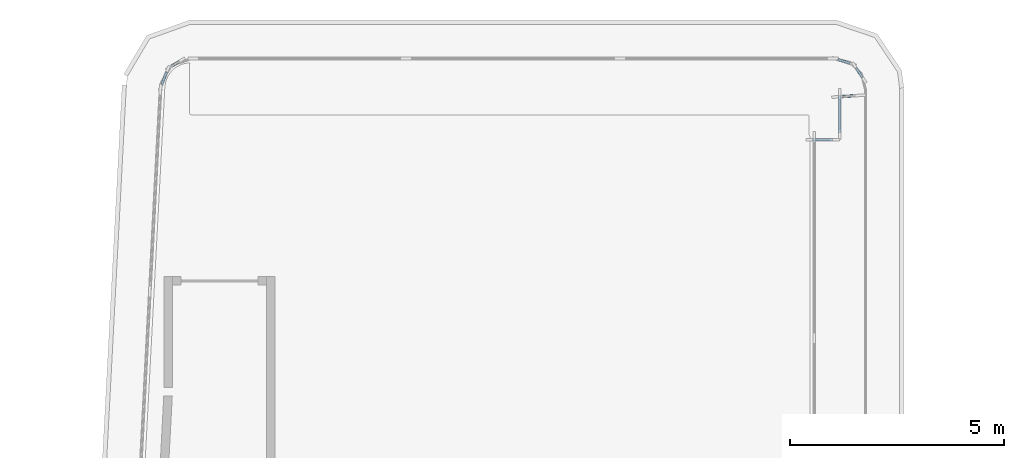
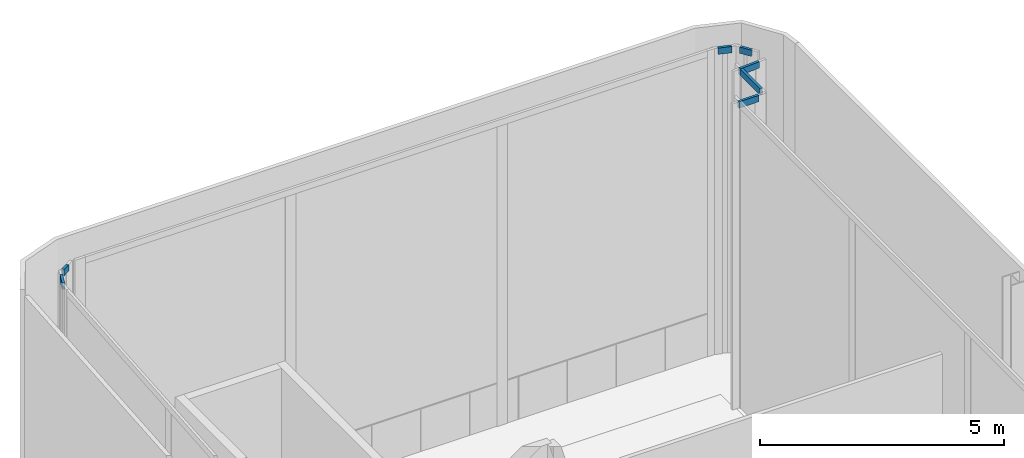
# One storey, part 14 of 28: 7 members, 7 elements without a shape of their own.
"""IFC4 building model written with IfcOpenShell, lengths in metres."""

from ifc_helpers import new_model, si_unit, direction, frame, origin, origin_2d, place, context, subcontext, project, spatial, rectangle, extrude, material, layer, layer_set, material_profile, profile_set, type_object, element, aggregate, save


model = new_model("IFC4")

# Units and contexts
model_context = context("Model", 3, precision=1e-05, world=origin(), true_north=direction((0.0, 1.0)))
body_context = subcontext(model_context, "Body", "Model", "MODEL_VIEW")
ifc_project = project(units=[si_unit("LENGTHUNIT", "METRE"), si_unit("AREAUNIT", "SQUARE_METRE"), si_unit("VOLUMEUNIT", "CUBIC_METRE"), si_unit("PLANEANGLEUNIT", "RADIAN"), si_unit("MASSUNIT", "GRAM", prefix="KILO")], contexts=[model_context])

# Site, building, storey
site_placement = place(None, origin())
site = spatial("IfcSite", under=ifc_project, at=site_placement, CompositionType="ELEMENT")
building_placement = place(site_placement, origin())
building = spatial("IfcBuilding", under=site, at=building_placement, Name="Kheshtan School and Residences Tower", CompositionType="ELEMENT")
storey_placement = place(building_placement, frame((0.0, 0.0, 325.39990234375)))
storey = spatial("IfcBuildingStorey", under=building, at=storey_placement, Name="L77", CompositionType="ELEMENT", Elevation=325.39990234375)

# Curtain wall, member
ifc_material_1 = material(Name="Clear low-e glass in thermally broken aluminium frame", Category="aluminium")
ifc_layer = layer(ifc_material_1, 0.25)
ifc_layer_set = layer_set([ifc_layer], Name="Curtain wall CW-K")
curtain_wall_type = type_object("IfcCurtainWallType", Name="Curtain wall CW-K", PredefinedType="NOTDEFINED", material=ifc_layer_set)
curtain_wall_1_placement = place(storey_placement, origin())
curtain_wall_1 = element("IfcCurtainWall", 1, at=curtain_wall_1_placement, inside=storey, type_object=curtain_wall_type, Name="Curtain wall CWK7b", PredefinedType="NOTDEFINED")
ifc_material_2 = material(Name="Thermally broken aluminium, dark bronze anodised", Category="aluminium")
ifc_material_profile = material_profile(ifc_material_2, rectangle(XDim=0.06005859375, YDim=0.159912109375, at=origin_2d()), Name="CW-K transom 60x160")
ifc_profile_set = profile_set([ifc_material_profile], Name="Thermally broken aluminium, dark bronze anodised")
member_type = type_object("IfcMemberType", Name="CW-K transom 60x160", PredefinedType="USERDEFINED", material=ifc_profile_set)
member_1_placement = place(storey_placement, frame((30.75146484375, 98.59375, 7.570068359375), z_axis=(0.370720586552, 0.928744446393, 0.0), x_axis=(-0.928744446393, 0.370720586552, 0.0)))
member_1 = element("IfcMember", 2, at=member_1_placement, type_object=member_type, Name="CWK7b transom 1", ObjectType="TRANSOM", PredefinedType="USERDEFINED", context=body_context, shape_type="SweptSolid", body=[
    extrude(rectangle(XDim=0.06005859375, YDim=0.159912109375, at=origin_2d()), origin(), (0.0, 0.0, 1.0), 0.314208984375),
])
aggregate(curtain_wall_1, [member_1])

curtain_wall_2_placement = place(storey_placement, origin())
curtain_wall_2 = element("IfcCurtainWall", 3, at=curtain_wall_2_placement, inside=storey, type_object=curtain_wall_type, Name="Curtain wall CWK8b", PredefinedType="NOTDEFINED")
member_2_placement = place(storey_placement, frame((30.981689453125, 99.0205078125, 7.570068359375), z_axis=(0.851698929261, 0.524031424531, 0.0), x_axis=(-0.524031424531, 0.851698929261, 0.0)))
member_2 = element("IfcMember", 4, at=member_2_placement, type_object=member_type, Name="CWK8b transom 1", ObjectType="TRANSOM", PredefinedType="USERDEFINED", context=body_context, shape_type="SweptSolid", body=[
    extrude(rectangle(XDim=0.06005859375, YDim=0.159912109375, at=origin_2d()), origin(), (0.0, 0.0, 1.0), 0.206298828125),
])
aggregate(curtain_wall_2, [member_2])

curtain_wall_3_placement = place(storey_placement, origin())
curtain_wall_3 = element("IfcCurtainWall", 5, at=curtain_wall_3_placement, inside=storey, type_object=curtain_wall_type, Name="Curtain wall CWK10b", PredefinedType="NOTDEFINED")
member_3_placement = place(storey_placement, frame((46.5576171875, 99.177001953125, 7.570068359375), z_axis=(0.95258765561, -0.304264290347, 0.0), x_axis=(0.304264290347, 0.95258765561, 0.0)))
member_3 = element("IfcMember", 6, at=member_3_placement, type_object=member_type, Name="CWK10b transom 1", ObjectType="TRANSOM", PredefinedType="USERDEFINED", context=body_context, shape_type="SweptSolid", body=[
    extrude(rectangle(XDim=0.06005859375, YDim=0.159912109375, at=origin_2d()), origin(), (0.0, 0.0, 1.0), 0.29443359375),
])
aggregate(curtain_wall_3, [member_3])

curtain_wall_4_placement = place(storey_placement, origin())
curtain_wall_4 = element("IfcCurtainWall", 7, at=curtain_wall_4_placement, inside=storey, type_object=curtain_wall_type, Name="Curtain wall CWK11b", PredefinedType="NOTDEFINED")
member_4_placement = place(storey_placement, frame((46.9814453125, 98.979736328125, 7.570068359375), z_axis=(0.555554602959, -0.831480055762, 0.0), x_axis=(0.831480055762, 0.555554602959, 0.0)))
member_4 = element("IfcMember", 8, at=member_4_placement, type_object=member_type, Name="CWK11b transom 1", ObjectType="TRANSOM", PredefinedType="USERDEFINED", context=body_context, shape_type="SweptSolid", body=[
    extrude(rectangle(XDim=0.06005859375, YDim=0.159912109375, at=origin_2d()), origin(), (0.0, 0.0, 1.0), 0.263671875),
])
aggregate(curtain_wall_4, [member_4])

curtain_wall_5_placement = place(storey_placement, origin())
curtain_wall_5 = element("IfcCurtainWall", 9, at=curtain_wall_5_placement, inside=storey, type_object=curtain_wall_type, Name="Curtain wall CWK12b", PredefinedType="NOTDEFINED")
member_5_placement = place(storey_placement, frame((47.046630859375, 98.33642578125, 7.570068359375), z_axis=(-0.997889406483, -0.064936372155, 0.0), x_axis=(0.064936372155, -0.997889406483, 0.0)))
member_5 = element("IfcMember", 10, at=member_5_placement, type_object=member_type, Name="CWK12b transom 1", ObjectType="TRANSOM", PredefinedType="USERDEFINED", context=body_context, shape_type="SweptSolid", body=[
    extrude(rectangle(XDim=0.06005859375, YDim=0.159912109375, at=origin_2d()), origin(), (0.0, 0.0, 1.0), 0.481201171875),
])
aggregate(curtain_wall_5, [member_5])

curtain_wall_6_placement = place(storey_placement, origin())
curtain_wall_6 = element("IfcCurtainWall", 11, at=curtain_wall_6_placement, inside=storey, type_object=curtain_wall_type, Name="Curtain wall CWK13b", PredefinedType="NOTDEFINED")
member_6_placement = place(storey_placement, frame((46.60009765625, 98.341064453125, 7.570068359375), z_axis=(0.0, -1.0, 0.0), x_axis=(1.0, 0.0, 0.0)))
member_6 = element("IfcMember", 12, at=member_6_placement, type_object=member_type, Name="CWK13b transom 1", ObjectType="TRANSOM", PredefinedType="USERDEFINED", context=body_context, shape_type="SweptSolid", body=[
    extrude(rectangle(XDim=0.06005859375, YDim=0.159912109375, at=origin_2d()), origin(), (0.0, 0.0, 1.0), 0.881103515625),
])
aggregate(curtain_wall_6, [member_6])

curtain_wall_7_placement = place(storey_placement, origin())
curtain_wall_7 = element("IfcCurtainWall", 13, at=curtain_wall_7_placement, inside=storey, type_object=curtain_wall_type, Name="Curtain wall CWK14b", PredefinedType="NOTDEFINED")
member_7_placement = place(storey_placement, frame((46.43994140625, 97.300048828125, 7.570068359375), z_axis=(-1.0, 0.0, 0.0), x_axis=(0.0, -1.0, 0.0)))
member_7 = element("IfcMember", 14, at=member_7_placement, type_object=member_type, Name="CWK14b transom 1", ObjectType="TRANSOM", PredefinedType="USERDEFINED", context=body_context, shape_type="SweptSolid", body=[
    extrude(rectangle(XDim=0.06005859375, YDim=0.159912109375, at=origin_2d()), origin(), (0.0, 0.0, 1.0), 0.47998046875),
])
aggregate(curtain_wall_7, [member_7])

save(model, "model.ifc")
